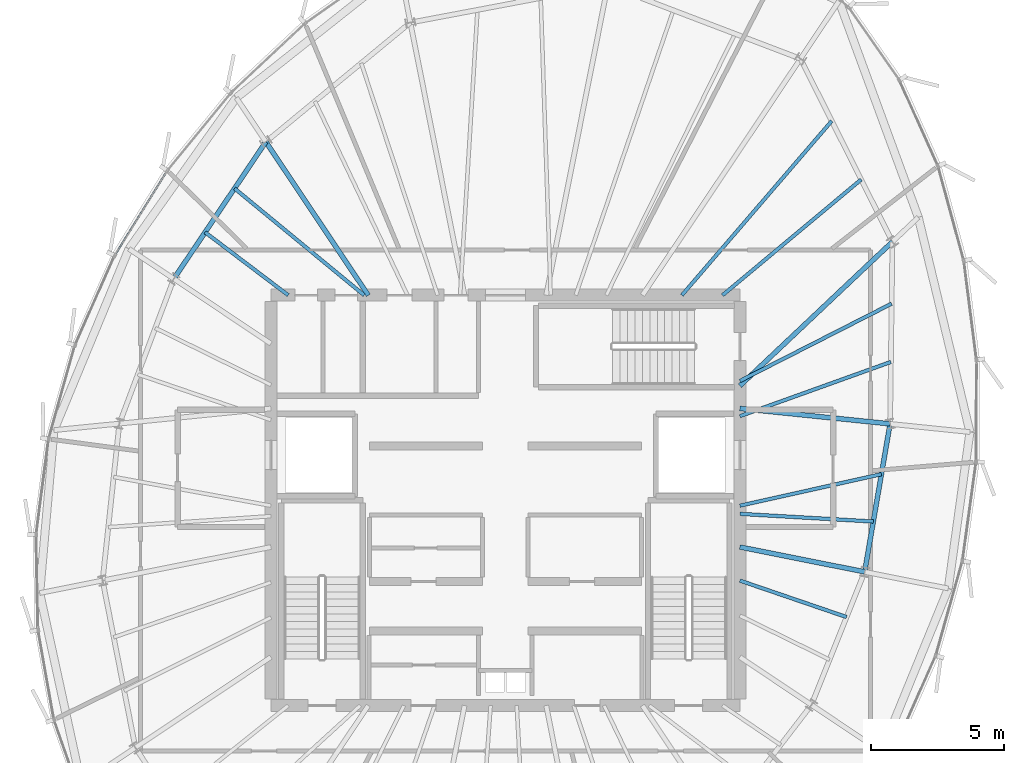
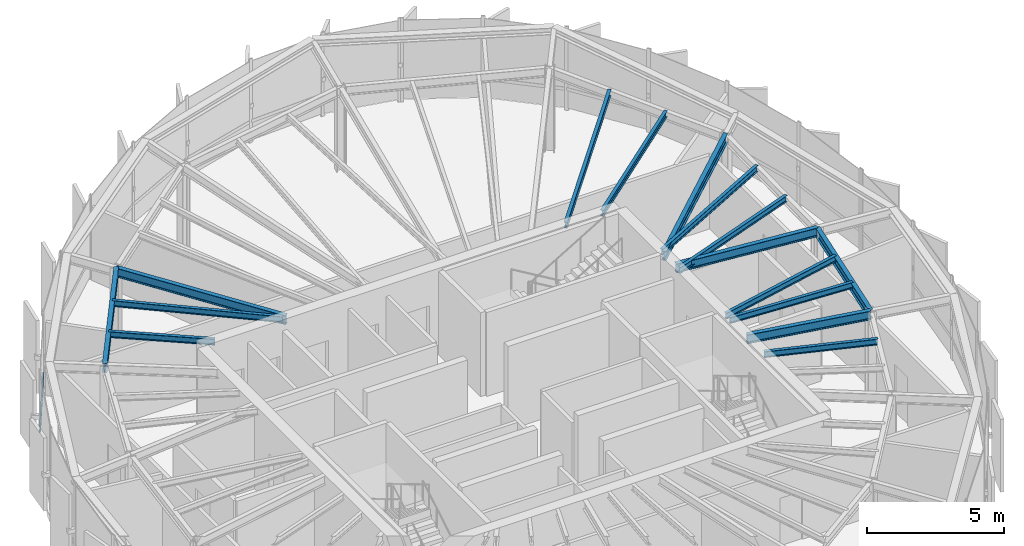
# One storey, part 11 of 26: 15 beams, 1 member, 1 element without a shape of its own.
"""IFC4 building model written with IfcOpenShell, lengths in metres."""

from ifc_helpers import new_model, si_unit, direction, frame, origin, origin_2d, place, context, subcontext, project, spatial, hollow_rectangle, i_section, extrude, source, transform, mapped, material, layer, layer_set, material_profile, profile_set, type_object, element, aggregate, save


model = new_model("IFC4")

# Units and contexts
model_context = context("Model", 3, precision=1e-05, world=origin(), true_north=direction((0.0, 1.0)))
body_context = subcontext(model_context, "Body", "Model", "MODEL_VIEW")
ifc_project = project(units=[si_unit("LENGTHUNIT", "METRE"), si_unit("AREAUNIT", "SQUARE_METRE"), si_unit("VOLUMEUNIT", "CUBIC_METRE"), si_unit("PLANEANGLEUNIT", "RADIAN"), si_unit("MASSUNIT", "GRAM", prefix="KILO"), si_unit("THERMODYNAMICTEMPERATUREUNIT", "KELVIN")], contexts=[model_context])

# Site, building, storey
site_placement = place(None, origin())
site = spatial("IfcSite", under=ifc_project, at=site_placement, CompositionType="ELEMENT")
building_placement = place(site_placement, origin())
building = spatial("IfcBuilding", under=site, at=building_placement, Name="Kethvar Cultural Tower", CompositionType="ELEMENT")
storey_placement = place(building_placement, frame((0.0, 0.0, 316.300048828125)))
storey = spatial("IfcBuildingStorey", under=building, at=storey_placement, Name="L84", CompositionType="ELEMENT", Elevation=316.300048828125)

# Beams
ifc_material_1 = material(Name="Steel S355J2", Category="steel")
ifc_material_profile_1 = material_profile(ifc_material_1, i_section(OverallWidth=0.135009765625, OverallDepth=0.27001953125, WebThickness=0.006591796875, FlangeThickness=0.01025390625, FilletRadius=0.014892578125, at=origin_2d()), Name="Steel S355J2 — IPE270")
ifc_profile_set_1 = profile_set([ifc_material_profile_1], Name="Steel S355J2 — IPE270")
beam_type_1 = type_object("IfcBeamType", Name="BM-J270", PredefinedType="JOIST", material=ifc_profile_set_1)
shared_shape_1 = source(origin(), body_context, "Body", "SweptSolid", [
    extrude(i_section(OverallWidth=0.135009765625, OverallDepth=0.27001953125, WebThickness=0.006591796875, FlangeThickness=0.01025390625, FilletRadius=0.014892578125, at=origin_2d()), origin(), (0.0, 0.0, 1.0), 6.021240234375),
])
beam_1_placement = place(storey_placement, frame((55.60009765625, 30.960205078125, 3.597900390625), z_axis=(0.94114970072, 0.337990001086, 0.0), x_axis=(-0.337990001086, 0.94114970072, 0.0)))
element("IfcBeam", 1, at=beam_1_placement, inside=storey, type_object=beam_type_1, Name="L84 Composite Floor Joist J-01A", PredefinedType="JOIST", context=body_context, shape_type="MappedRepresentation", body=[
    mapped(shared_shape_1, transform((0.0, 0.0, 0.0), scale=1.0)),
])
shared_shape_2 = source(origin(), body_context, "Body", "SweptSolid", [
    extrude(i_section(OverallWidth=0.135009765625, OverallDepth=0.27001953125, WebThickness=0.006591796875, FlangeThickness=0.01025390625, FilletRadius=0.014892578125, at=origin_2d()), origin(), (0.0, 0.0, 1.0), 6.3916015625),
])
beam_2_placement = place(storey_placement, frame((55.60009765625, 32.281494140625, 3.597900390625), z_axis=(0.891094874615, 0.453817060538, 0.0), x_axis=(-0.453817060538, 0.891094874615, 0.0)))
element("IfcBeam", 2, at=beam_2_placement, inside=storey, type_object=beam_type_1, Name="L84 Composite Floor Joist J-01B", PredefinedType="JOIST", context=body_context, shape_type="MappedRepresentation", body=[
    mapped(shared_shape_2, transform((0.0, 0.0, 0.0), scale=1.0)),
])
shared_shape_3 = source(origin(), body_context, "Body", "SweptSolid", [
    extrude(i_section(OverallWidth=0.135009765625, OverallDepth=0.27001953125, WebThickness=0.006591796875, FlangeThickness=0.01025390625, FilletRadius=0.014892578125, at=origin_2d()), origin(), (0.0, 0.0, 1.0), 6.776123046875),
])
beam_3_placement = place(storey_placement, frame((54.949951171875, 35.5, 3.597900390625), z_axis=(0.767801747857, 0.6406875026, 0.0), x_axis=(-0.6406875026, 0.767801747857, 0.0)))
element("IfcBeam", 3, at=beam_3_placement, inside=storey, type_object=beam_type_1, Name="L84 Composite Floor Joist J-02A", PredefinedType="JOIST", context=body_context, shape_type="MappedRepresentation", body=[
    mapped(shared_shape_3, transform((0.0, 0.0, 0.0), scale=1.0)),
])
shared_shape_4 = source(origin(), body_context, "Body", "SweptSolid", [
    extrude(i_section(OverallWidth=0.135009765625, OverallDepth=0.27001953125, WebThickness=0.006591796875, FlangeThickness=0.01025390625, FilletRadius=0.014892578125, at=origin_2d()), origin(), (0.0, 0.0, 1.0), 8.6259765625),
])
beam_4_placement = place(storey_placement, frame((53.42333984375, 35.5, 3.597900390625), z_axis=(0.65210499689, 0.758128665222, 0.0), x_axis=(-0.758128665222, 0.65210499689, 0.0)))
element("IfcBeam", 4, at=beam_4_placement, inside=storey, type_object=beam_type_1, Name="L84 Composite Floor Joist J-02B", PredefinedType="JOIST", context=body_context, shape_type="MappedRepresentation", body=[
    mapped(shared_shape_4, transform((0.0, 0.0, 0.0), scale=1.0)),
])
shared_shape_5 = source(origin(), body_context, "Body", "SweptSolid", [
    extrude(i_section(OverallWidth=0.135009765625, OverallDepth=0.27001953125, WebThickness=0.006591796875, FlangeThickness=0.01025390625, FilletRadius=0.014892578125, at=origin_2d()), origin(), (0.0, 0.0, 1.0), 6.302978515625),
])
beam_5_placement = place(storey_placement, frame((41.5, 35.5, 3.597900390625), z_axis=(-0.771828477148, 0.635830796567, 0.0), x_axis=(-0.635830796567, -0.771828477148, 0.0)))
element("IfcBeam", 5, at=beam_5_placement, inside=storey, type_object=beam_type_1, Name="L84 Composite Floor Joist J-06A", PredefinedType="JOIST", context=body_context, shape_type="MappedRepresentation", body=[
    mapped(shared_shape_5, transform((0.0, 0.0, 0.0), scale=1.0)),
])
shared_shape_6 = source(origin(), body_context, "Body", "SweptSolid", [
    extrude(i_section(OverallWidth=0.135009765625, OverallDepth=0.27001953125, WebThickness=0.006591796875, FlangeThickness=0.01025390625, FilletRadius=0.014892578125, at=origin_2d()), origin(), (0.0, 0.0, 1.0), 3.91357421875),
])
beam_6_placement = place(storey_placement, frame((38.64990234375, 35.5, 3.597900390625), z_axis=(-0.797214062325, 0.603696727531, 0.0), x_axis=(-0.603696727531, -0.797214062325, 0.0)))
element("IfcBeam", 6, at=beam_6_placement, inside=storey, type_object=beam_type_1, Name="L84 Composite Floor Joist J-06B", PredefinedType="JOIST", context=body_context, shape_type="MappedRepresentation", body=[
    mapped(shared_shape_6, transform((0.0, 0.0, 0.0), scale=1.0)),
])
shared_shape_7 = source(origin(), body_context, "Body", "SweptSolid", [
    extrude(i_section(OverallWidth=0.135009765625, OverallDepth=0.27001953125, WebThickness=0.006591796875, FlangeThickness=0.01025390625, FilletRadius=0.014892578125, at=origin_2d()), origin(), (0.0, 0.0, 1.0), 4.232421875),
])
beam_7_placement = place(storey_placement, frame((55.60009765625, 24.7900390625, 3.597900390625), z_axis=(0.946173747357, -0.323659141402, 0.0), x_axis=(0.323659141402, 0.946173747357, 0.0)))
element("IfcBeam", 7, at=beam_7_placement, inside=storey, type_object=beam_type_1, Name="L84 Composite Floor Joist J-15B", PredefinedType="JOIST", context=body_context, shape_type="MappedRepresentation", body=[
    mapped(shared_shape_7, transform((0.0, 0.0, 0.0), scale=1.0)),
])
shared_shape_8 = source(origin(), body_context, "Body", "SweptSolid", [
    extrude(i_section(OverallWidth=0.135009765625, OverallDepth=0.27001953125, WebThickness=0.006591796875, FlangeThickness=0.01025390625, FilletRadius=0.014892578125, at=origin_2d()), origin(), (0.0, 0.0, 1.0), 5.01611328125),
])
beam_8_placement = place(storey_placement, frame((55.60009765625, 27.294189453125, 3.597900390625), z_axis=(0.998352190078, -0.057383835418, 0.0), x_axis=(0.057383835418, 0.998352190078, 0.0)))
element("IfcBeam", 8, at=beam_8_placement, inside=storey, type_object=beam_type_1, Name="L84 Composite Floor Joist J-16A", PredefinedType="JOIST", context=body_context, shape_type="MappedRepresentation", body=[
    mapped(shared_shape_8, transform((0.0, 0.0, 0.0), scale=1.0)),
])
shared_shape_9 = source(origin(), body_context, "Body", "SweptSolid", [
    extrude(i_section(OverallWidth=0.135009765625, OverallDepth=0.27001953125, WebThickness=0.006591796875, FlangeThickness=0.01025390625, FilletRadius=0.014892578125, at=origin_2d()), origin(), (0.0, 0.0, 1.0), 5.44287109375),
])
beam_9_placement = place(storey_placement, frame((55.60009765625, 27.60009765625, 3.597900390625), z_axis=(0.976080346759, 0.217410111702, 0.0), x_axis=(-0.217410111702, 0.976080346759, 0.0)))
element("IfcBeam", 9, at=beam_9_placement, inside=storey, type_object=beam_type_1, Name="L84 Composite Floor Joist J-16B", PredefinedType="JOIST", context=body_context, shape_type="MappedRepresentation", body=[
    mapped(shared_shape_9, transform((0.0, 0.0, 0.0), scale=1.0)),
])
ifc_material_profile_2 = material_profile(ifc_material_1, i_section(OverallWidth=0.179931640625, OverallDepth=0.39990234375, WebThickness=0.008544921875, FlangeThickness=0.013427734375, FilletRadius=0.02099609375, at=origin_2d()), Name="Steel S355J2 — IPE400")
ifc_profile_set_2 = profile_set([ifc_material_profile_2], Name="Steel S355J2 — IPE400")
beam_type_2 = type_object("IfcBeamType", Name="BM-IPE400", PredefinedType="BEAM", material=ifc_profile_set_2)
shared_shape_10 = source(origin(), body_context, "Body", "SweptSolid", [
    extrude(i_section(OverallWidth=0.179931640625, OverallDepth=0.39990234375, WebThickness=0.008544921875, FlangeThickness=0.013427734375, FilletRadius=0.02099609375, at=origin_2d()), origin(), (0.0, 0.0, 1.0), 5.66650390625),
])
beam_10_placement = place(storey_placement, frame((55.60009765625, 31.25, 3.532958984375), z_axis=(0.994777513459, -0.102067128476, 0.0), x_axis=(0.102067128476, 0.994777513459, 0.0)))
element("IfcBeam", 10, at=beam_10_placement, inside=storey, type_object=beam_type_2, Name="L84 Primary Radial Beam RB-01", PredefinedType="BEAM", context=body_context, shape_type="MappedRepresentation", body=[
    mapped(shared_shape_10, transform((0.0, 0.0, 0.0), scale=1.0)),
])
shared_shape_11 = source(origin(), body_context, "Body", "SweptSolid", [
    extrude(i_section(OverallWidth=0.179931640625, OverallDepth=0.39990234375, WebThickness=0.008544921875, FlangeThickness=0.013427734375, FilletRadius=0.02099609375, at=origin_2d()), origin(), (0.0, 0.0, 1.0), 7.874267578125),
])
beam_11_placement = place(storey_placement, frame((55.60009765625, 32.10009765625, 3.532958984375), z_axis=(0.727123202456, 0.686506990823, 0.0), x_axis=(-0.686506990823, 0.727123202456, 0.0)))
element("IfcBeam", 11, at=beam_11_placement, inside=storey, type_object=beam_type_2, Name="L84 Primary Radial Beam RB-02", PredefinedType="BEAM", context=body_context, shape_type="MappedRepresentation", body=[
    mapped(shared_shape_11, transform((0.0, 0.0, 0.0), scale=1.0)),
])
shared_shape_12 = source(origin(), body_context, "Body", "SweptSolid", [
    extrude(i_section(OverallWidth=0.179931640625, OverallDepth=0.39990234375, WebThickness=0.008544921875, FlangeThickness=0.013427734375, FilletRadius=0.02099609375, at=origin_2d()), origin(), (0.0, 0.0, 1.0), 6.921630859375),
])
beam_12_placement = place(storey_placement, frame((41.655029296875, 35.5, 3.532958984375), z_axis=(-0.555570841874, 0.831469205479, 0.0), x_axis=(-0.831469205479, -0.555570841874, 0.0)))
element("IfcBeam", 12, at=beam_12_placement, inside=storey, type_object=beam_type_2, Name="L84 Primary Radial Beam RB-06", PredefinedType="BEAM", context=body_context, shape_type="MappedRepresentation", body=[
    mapped(shared_shape_12, transform((0.0, 0.0, 0.0), scale=1.0)),
])
shared_shape_13 = source(origin(), body_context, "Body", "SweptSolid", [
    extrude(i_section(OverallWidth=0.179931640625, OverallDepth=0.39990234375, WebThickness=0.008544921875, FlangeThickness=0.013427734375, FilletRadius=0.02099609375, at=origin_2d()), origin(), (0.0, 0.0, 1.0), 4.775390625),
])
beam_13_placement = place(storey_placement, frame((55.60009765625, 26.049560546875, 3.532958984375), z_axis=(0.980784643133, -0.195093525761, 0.0), x_axis=(0.195093525761, 0.980784643133, 0.0)))
element("IfcBeam", 13, at=beam_13_placement, inside=storey, type_object=beam_type_2, Name="L84 Primary Radial Beam RB-16", PredefinedType="BEAM", context=body_context, shape_type="MappedRepresentation", body=[
    mapped(shared_shape_13, transform((0.0, 0.0, 0.0), scale=1.0)),
])
shared_shape_14 = source(origin(), body_context, "Body", "SweptSolid", [
    extrude(i_section(OverallWidth=0.179931640625, OverallDepth=0.39990234375, WebThickness=0.008544921875, FlangeThickness=0.013427734375, FilletRadius=0.02099609375, at=origin_2d()), origin(), (0.0, 0.0, 1.0), 6.192626953125),
])
beam_14_placement = place(storey_placement, frame((37.8095703125, 41.255126953125, 3.532958984375), z_axis=(-0.557698912025, -0.830043326295, 0.0), x_axis=(0.830043326295, -0.557698912025, 0.0)))
element("IfcBeam", 14, at=beam_14_placement, inside=storey, type_object=beam_type_2, Name="L84 Column Ring Tie Beam CR-06", PredefinedType="BEAM", context=body_context, shape_type="MappedRepresentation", body=[
    mapped(shared_shape_14, transform((0.0, 0.0, 0.0), scale=1.0)),
])
shared_shape_15 = source(origin(), body_context, "Body", "SweptSolid", [
    extrude(i_section(OverallWidth=0.179931640625, OverallDepth=0.39990234375, WebThickness=0.008544921875, FlangeThickness=0.013427734375, FilletRadius=0.02099609375, at=origin_2d()), origin(), (0.0, 0.0, 1.0), 5.635009765625),
])
beam_15_placement = place(storey_placement, frame((60.28369140625, 25.117919921875, 3.532958984375), z_axis=(0.169188687614, 0.985583678834, 0.0), x_axis=(-0.985583678834, 0.169188687614, 0.0)))
element("IfcBeam", 15, at=beam_15_placement, inside=storey, type_object=beam_type_2, Name="L84 Column Ring Tie Beam CR-16", PredefinedType="BEAM", context=body_context, shape_type="MappedRepresentation", body=[
    mapped(shared_shape_15, transform((0.0, 0.0, 0.0), scale=1.0)),
])

# Curtain wall, member
ifc_material_2 = material(Name="Aluminium 6063-T6", Category="aluminium")
ifc_layer = layer(ifc_material_2, 0.179931640625, Name="Aluminium 6063-T6", Category="aluminium")
ifc_layer_set = layer_set([ifc_layer], Name="Aluminium 6063-T6 (180 mm)")
curtain_wall_type = type_object("IfcCurtainWallType", Name="CW-SYS-06-CROWN", PredefinedType="NOTDEFINED", material=ifc_layer_set)
curtain_wall_placement = place(storey_placement, origin())
curtain_wall = element("IfcCurtainWall", 16, at=curtain_wall_placement, inside=storey, type_object=curtain_wall_type, Name="L84 Curtain Wall Run 02", PredefinedType="NOTDEFINED")
ifc_material_profile_3 = material_profile(ifc_material_2, hollow_rectangle(XDim=0.06005859375, YDim=0.139892578125, WallThickness=0.0048828125, at=origin_2d()), Name="Aluminium 6063-T6 — RHS140x60x5")
ifc_profile_set_3 = profile_set([ifc_material_profile_3], Name="Aluminium 6063-T6 — RHS140x60x5")
member_type = type_object("IfcMemberType", Name="CW-SYS-06-CROWN-TRN", PredefinedType="USERDEFINED", material=ifc_profile_set_3)
shared_shape_16 = source(origin(), body_context, "Body", "SweptSolid", [
    extrude(hollow_rectangle(XDim=0.06005859375, YDim=0.139892578125, WallThickness=0.0048828125, at=origin_2d()), origin(), (0.0, 0.0, 1.0), 3.673828125),
])
member_placement = place(storey_placement, frame((34.08837890625, 40.143798828125, 0.949951171875), z_axis=(-0.5262425112, -0.850334533819, 0.0), x_axis=(0.850334533819, -0.5262425112, 0.0)))
member = element("IfcMember", 17, at=member_placement, type_object=member_type, Name="CW-L84-R02 Transom 2", ObjectType="TRANSOM", PredefinedType="USERDEFINED", context=body_context, shape_type="MappedRepresentation", body=[
    mapped(shared_shape_16, transform((0.0, 0.0, 0.0), scale=1.0)),
])
aggregate(curtain_wall, [member])

save(model, "model.ifc")
